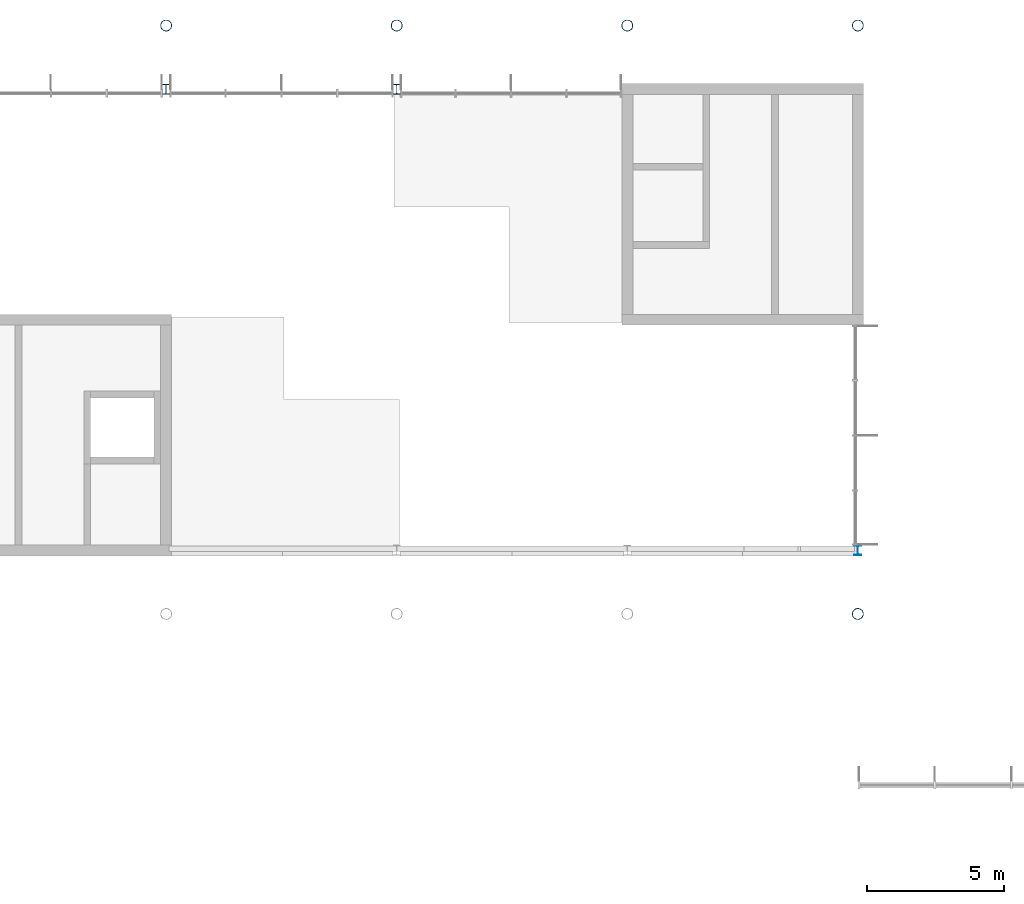
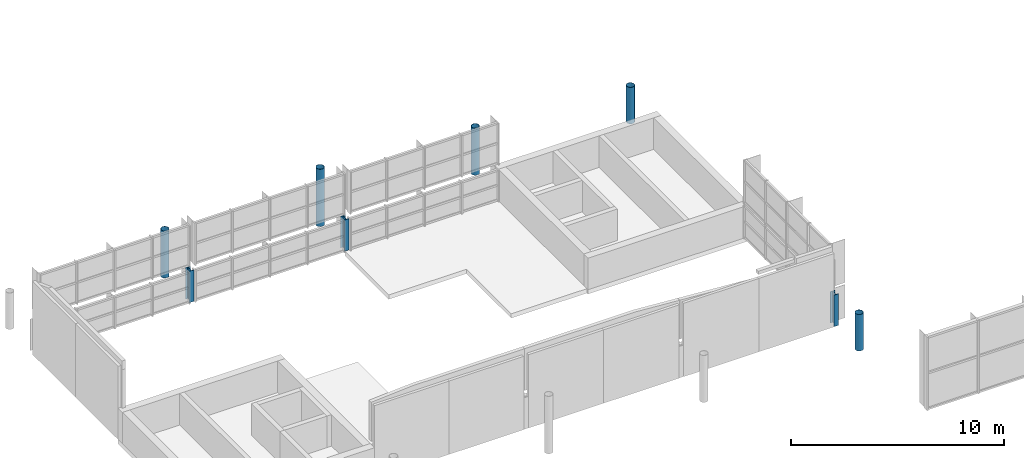
# One storey, part 8 of 72: 8 columns.
"""IFC4 building model written with IfcOpenShell, lengths in metres."""

from ifc_helpers import new_model, si_unit, direction, frame, origin, origin_2d, place, context, subcontext, project, spatial, hollow_circle, i_section, extrude, material, material_profile, profile_set, type_object, element, save


model = new_model("IFC4")

# Units and contexts
model_context = context("Model", 3, precision=1e-05, world=origin(), true_north=direction((0.0, 1.0)))
body_context = subcontext(model_context, "Body", "Model", "MODEL_VIEW")
ifc_project = project(units=[si_unit("LENGTHUNIT", "METRE"), si_unit("AREAUNIT", "SQUARE_METRE"), si_unit("VOLUMEUNIT", "CUBIC_METRE"), si_unit("PLANEANGLEUNIT", "RADIAN"), si_unit("MASSUNIT", "GRAM", prefix="KILO")], contexts=[model_context])

# Site, building, storey
site_placement = place(None, origin())
site = spatial("IfcSite", under=ifc_project, at=site_placement, CompositionType="ELEMENT")
building_placement = place(site_placement, origin())
building = spatial("IfcBuilding", under=site, at=building_placement, Name="Hlaing Beacon Police Headquarters", CompositionType="ELEMENT")
storey_placement = place(building_placement, frame((0.0, 0.0, 14.39990234375)))
storey = spatial("IfcBuildingStorey", under=building, at=storey_placement, Name="L03", CompositionType="ELEMENT", Elevation=14.39990234375)

# Columns
ifc_material_1 = material(Name="Steel ASTM A500 Grade C", Category="steel")
ifc_material_profile_1 = material_profile(ifc_material_1, hollow_circle(Radius=0.203125, WallThickness=0.0126953125, at=origin_2d()), Name="HSS16.000x0.500")
ifc_profile_set_1 = profile_set([ifc_material_profile_1], Name="Steel ASTM A500 Grade C")
column_type_1 = type_object("IfcColumnType", Name="Eave edge post HSS16.000x0.500", PredefinedType="COLUMN", material=ifc_profile_set_1)
column_1_placement = place(storey_placement, frame((42.0, 94.71728515625, 0.0), z_axis=(0.0, 0.0, 1.0), x_axis=(1.0, 0.0, 0.0)))
element("IfcColumn", 1, at=column_1_placement, inside=storey, type_object=column_type_1, Name="STR-RT-V2-EEP-N0420-L03", PredefinedType="COLUMN", context=body_context, shape_type="SweptSolid", body=[
    extrude(hollow_circle(Radius=0.203125, WallThickness=0.0126953125, at=origin_2d()), origin(), (0.0, 0.0, 1.0), 2.68505859375),
])
column_2_placement = place(storey_placement, frame((50.39990234375, 94.71728515625, 0.0), z_axis=(0.0, 0.0, 1.0), x_axis=(1.0, 0.0, 0.0)))
element("IfcColumn", 2, at=column_2_placement, inside=storey, type_object=column_type_1, Name="STR-RT-V2-EEP-N0504-L03", PredefinedType="COLUMN", context=body_context, shape_type="SweptSolid", body=[
    extrude(hollow_circle(Radius=0.203125, WallThickness=0.0126953125, at=origin_2d()), origin(), (0.0, 0.0, 1.0), 3.28515625),
])
column_3_placement = place(storey_placement, frame((58.800048828125, 94.71728515625, 0.0), z_axis=(0.0, 0.0, 1.0), x_axis=(1.0, 0.0, 0.0)))
element("IfcColumn", 3, at=column_3_placement, inside=storey, type_object=column_type_1, Name="STR-RT-V2-EEP-N0588-L03", PredefinedType="COLUMN", context=body_context, shape_type="SweptSolid", body=[
    extrude(hollow_circle(Radius=0.203125, WallThickness=0.0126953125, at=origin_2d()), origin(), (0.0, 0.0, 1.0), 2.68505859375),
])
for number, where, z_axis, x_axis, name in (
    (4, (67.199951171875, 94.71728515625, 0.0), (0.0, 0.0, 1.0), (1.0, 0.0, 0.0), "STR-RT-V2-EEP-N0672-L03"),
    (5, (67.199951171875, 73.28271484375, 0.0), (0.0, 0.0, 1.0), (1.0, 0.0, 0.0), "STR-RT-V2-EEP-S0672-L03"),
):
    element("IfcColumn", number, at=place(storey_placement, frame(where, z_axis=z_axis, x_axis=x_axis)), inside=storey, type_object=column_type_1, Name=name, PredefinedType="COLUMN", context=body_context, shape_type="SweptSolid", body=[
        extrude(hollow_circle(Radius=0.203125, WallThickness=0.0126953125, at=origin_2d()), origin(), (0.0, 0.0, 1.0), 2.085205078125),
    ])
ifc_material_2 = material(Name="Steel ASTM A992 Grade 50", Category="steel")
ifc_material_profile_2 = material_profile(ifc_material_2, i_section(OverallWidth=0.25390625, OverallDepth=0.355712890625, WebThickness=0.010498046875, FlangeThickness=0.018310546875, FilletRadius=0.014892578125, at=origin_2d()), Name="W14x68")
ifc_profile_set_2 = profile_set([ifc_material_profile_2], Name="Steel ASTM A992 Grade 50")
column_type_2 = type_object("IfcColumnType", Name="Steel column W14x68", PredefinedType="COLUMN", material=ifc_profile_set_2)
column_4_placement = place(storey_placement, frame((67.199951171875, 75.60009765625, 0.0), z_axis=(0.0, 0.0, 1.0), x_axis=(1.0, 0.0, 0.0)))
element("IfcColumn", 6, at=column_4_placement, inside=storey, type_object=column_type_2, Name="STR-COL-L03-J10", PredefinedType="COLUMN", context=body_context, shape_type="SweptSolid", body=[
    extrude(i_section(OverallWidth=0.25390625, OverallDepth=0.355712890625, WebThickness=0.010498046875, FlangeThickness=0.018310546875, FilletRadius=0.014892578125, at=origin_2d()), origin(), (0.0, 0.0, 1.0), 1.800048828125),
])
ifc_material_3 = material(Name="Steel ASTM A992 Grade 50", Category="steel")
ifc_material_profile_3 = material_profile(ifc_material_3, i_section(OverallWidth=0.256591796875, OverallDepth=0.36328125, WebThickness=0.012939453125, FlangeThickness=0.021728515625, FilletRadius=0.01513671875, at=origin_2d()), Name="W14x82")
ifc_profile_set_3 = profile_set([ifc_material_profile_3], Name="Steel ASTM A992 Grade 50")
column_type_3 = type_object("IfcColumnType", Name="Steel column W14x82", PredefinedType="COLUMN", material=ifc_profile_set_3)
for number, where, z_axis, x_axis, name in (
    (7, (42.0, 92.39990234375, 0.0), (0.0, 0.0, 1.0), (1.0, 0.0, 0.0), "STR-COL-L03-F12"),
    (8, (50.39990234375, 92.39990234375, 0.0), (0.0, 0.0, 1.0), (1.0, 0.0, 0.0), "STR-COL-L03-G12"),
):
    element("IfcColumn", number, at=place(storey_placement, frame(where, z_axis=z_axis, x_axis=x_axis)), inside=storey, type_object=column_type_3, Name=name, PredefinedType="COLUMN", context=body_context, shape_type="SweptSolid", body=[
        extrude(i_section(OverallWidth=0.256591796875, OverallDepth=0.36328125, WebThickness=0.012939453125, FlangeThickness=0.021728515625, FilletRadius=0.01513671875, at=origin_2d()), origin(), (0.0, 0.0, 1.0), 1.800048828125),
    ])

save(model, "model.ifc")
